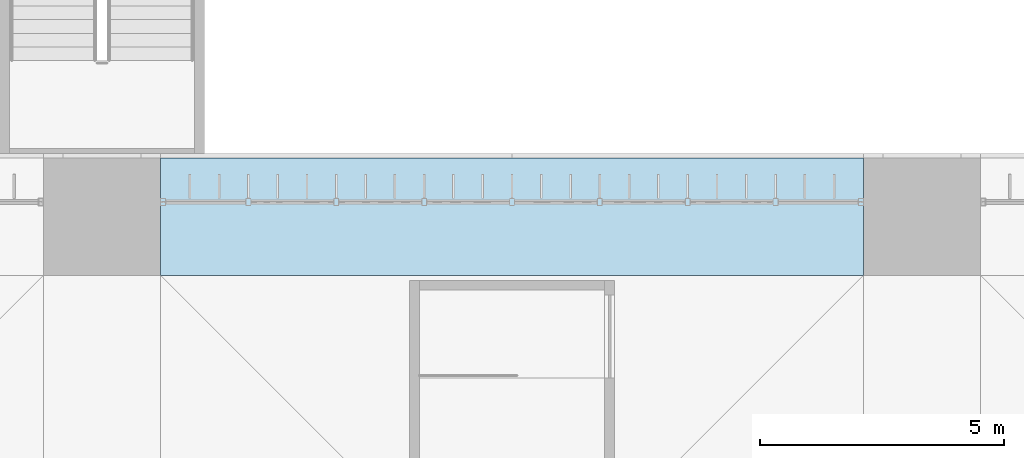
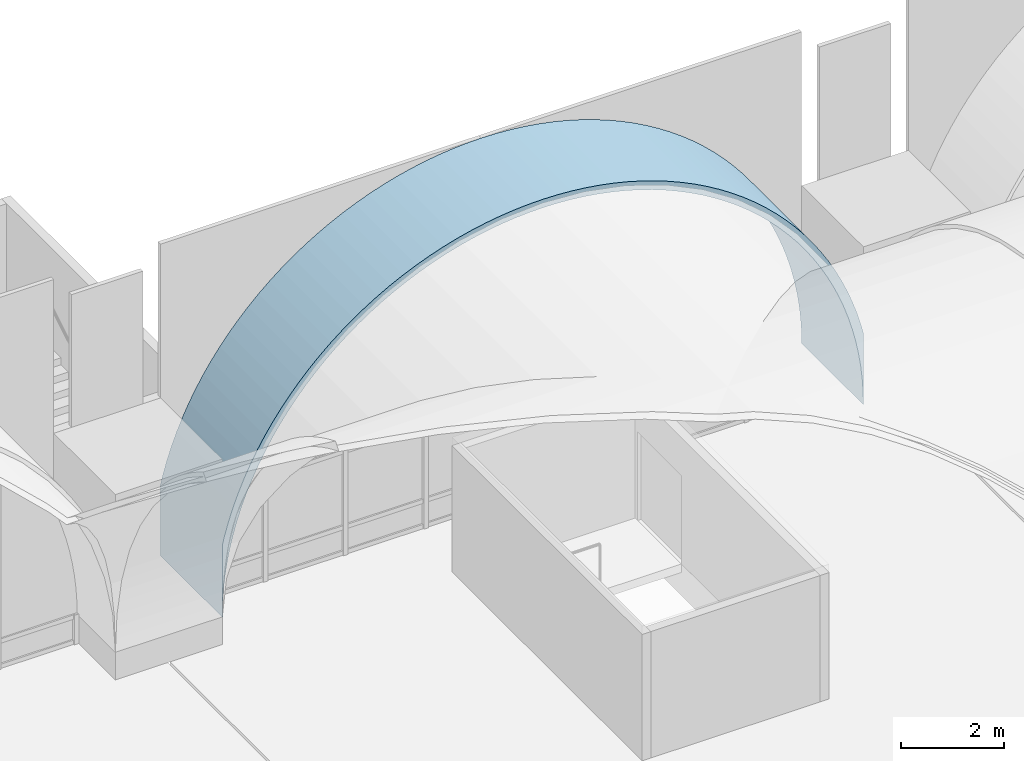
# One storey, part 133 of 169: 1 roof.
"""IFC4 building model written with IfcOpenShell, lengths in metres."""

from ifc_helpers import new_model, si_unit, direction, frame, origin, place, context, subcontext, project, spatial, polygons, material, layer, layer_set, type_object, element, save


model = new_model("IFC4")

# Units and contexts
model_context = context("Model", 3, precision=1e-05, world=origin(), true_north=direction((0.0, 1.0)))
body_context = subcontext(model_context, "Body", "Model", "MODEL_VIEW")
ifc_project = project(units=[si_unit("LENGTHUNIT", "METRE"), si_unit("AREAUNIT", "SQUARE_METRE"), si_unit("VOLUMEUNIT", "CUBIC_METRE"), si_unit("PLANEANGLEUNIT", "RADIAN"), si_unit("MASSUNIT", "GRAM", prefix="KILO")], contexts=[model_context])

# Site, building, storey
site_placement = place(None, origin())
site = spatial("IfcSite", under=ifc_project, at=site_placement, CompositionType="ELEMENT")
building_placement = place(site_placement, origin())
building = spatial("IfcBuilding", under=site, at=building_placement, Name="Verrick Yard Athletic Hall", CompositionType="ELEMENT")
storey_placement = place(building_placement, frame((0.0, 0.0, 4.39990234375)))
storey = spatial("IfcBuildingStorey", under=building, at=storey_placement, Name="L01", CompositionType="ELEMENT", Elevation=4.39990234375)

# Roof
ifc_material = material(Name="Concrete 35 MPa", Category="concrete")
ifc_layer = layer(ifc_material, 0.199951171875)
ifc_layer_set = layer_set([ifc_layer], Name="Arch rib 200")
roof_type = type_object("IfcRoofType", Name="Arch rib 200", PredefinedType="BARREL_ROOF", material=ifc_layer_set)
roof_placement = place(storey_placement, origin())
element("IfcRoof", 1, at=roof_placement, inside=storey, type_object=roof_type, Name="Vault rib N3", PredefinedType="BARREL_ROOF", context=body_context, shape_type="Tessellation", body=[
    polygons([(74.800048828125, 51.60009765625, 2.352294921875), (74.800048828125, 51.60009765625, 0.650146484375), (74.806884765625, 51.60009765625, 0.964111328125), (74.827392578125, 51.60009765625, 1.277587890625), (74.861572265625, 51.60009765625, 1.58984375), (74.909423828125, 51.60009765625, 1.900390625), (74.970703125, 51.60009765625, 2.20849609375), (75.04541015625, 51.60009765625, 2.513671875), (75.13330078125, 51.60009765625, 2.815185546875), (75.234130859375, 51.60009765625, 3.112548828125), (75.34814453125, 51.60009765625, 3.405517578125), (75.474609375, 51.60009765625, 3.693115234375), (75.613525390625, 51.60009765625, 3.974609375), (75.7646484375, 51.60009765625, 4.25), (75.927490234375, 51.60009765625, 4.518798828125), (76.10205078125, 51.60009765625, 4.77978515625), (76.287841796875, 51.60009765625, 5.033203125), (76.484619140625, 51.60009765625, 5.278076171875), (76.691650390625, 51.60009765625, 5.514404296875), (76.90869140625, 51.60009765625, 5.7412109375), (77.1357421875, 51.60009765625, 5.95849609375), (77.371826171875, 51.60009765625, 6.16552734375), (77.616943359375, 51.60009765625, 6.3623046875), (77.8701171875, 51.60009765625, 6.548095703125), (78.13134765625, 51.60009765625, 6.722412109375), (78.39990234375, 51.60009765625, 6.885498046875), (78.67529296875, 51.60009765625, 7.03662109375), (78.95703125, 51.60009765625, 7.175537109375), (79.24462890625, 51.60009765625, 7.302001953125), (79.53759765625, 51.60009765625, 7.416015625), (79.8349609375, 51.60009765625, 7.516845703125), (80.136474609375, 51.60009765625, 7.604736328125), (80.441650390625, 51.60009765625, 7.679443359375), (80.749755859375, 51.60009765625, 7.74072265625), (81.060302734375, 51.60009765625, 7.78857421875), (81.37255859375, 51.60009765625, 7.82275390625), (81.685791015625, 51.60009765625, 7.84326171875), (82.0, 51.60009765625, 7.85009765625), (82.314208984375, 51.60009765625, 7.84326171875), (82.62744140625, 51.60009765625, 7.82275390625), (82.939697265625, 51.60009765625, 7.78857421875), (83.250244140625, 51.60009765625, 7.74072265625), (83.558349609375, 51.60009765625, 7.679443359375), (83.863525390625, 51.60009765625, 7.604736328125), (84.1650390625, 51.60009765625, 7.516845703125), (84.46240234375, 51.60009765625, 7.416015625), (84.75537109375, 51.60009765625, 7.302001953125), (85.04296875, 51.60009765625, 7.175537109375), (85.32470703125, 51.60009765625, 7.03662109375), (85.60009765625, 51.60009765625, 6.885498046875), (85.86865234375, 51.60009765625, 6.722412109375), (86.1298828125, 51.60009765625, 6.548095703125), (86.383056640625, 51.60009765625, 6.3623046875), (86.628173828125, 51.60009765625, 6.16552734375), (86.8642578125, 51.60009765625, 5.95849609375), (87.09130859375, 51.60009765625, 5.7412109375), (87.308349609375, 51.60009765625, 5.514404296875), (87.515380859375, 51.60009765625, 5.278076171875), (87.712158203125, 51.60009765625, 5.033203125), (87.89794921875, 51.60009765625, 4.77978515625), (88.072509765625, 51.60009765625, 4.518798828125), (88.2353515625, 51.60009765625, 4.25), (88.386474609375, 51.60009765625, 3.974609375), (88.525390625, 51.60009765625, 3.693115234375), (88.65185546875, 51.60009765625, 3.405517578125), (88.765869140625, 51.60009765625, 3.112548828125), (88.86669921875, 51.60009765625, 2.815185546875), (88.95458984375, 51.60009765625, 2.513671875), (89.029296875, 51.60009765625, 2.20849609375), (89.090576171875, 51.60009765625, 1.900390625), (89.138427734375, 51.60009765625, 1.58984375), (89.172607421875, 51.60009765625, 1.277587890625), (89.193115234375, 51.60009765625, 0.964111328125), (89.199951171875, 51.60009765625, 0.650146484375), (89.199951171875, 51.60009765625, 2.352294921875), (89.14794921875, 51.60009765625, 2.5654296875), (89.0576171875, 51.60009765625, 2.875244140625), (88.95361328125, 51.60009765625, 3.180908203125), (88.836669921875, 51.60009765625, 3.48193359375), (88.706787109375, 51.60009765625, 3.777587890625), (88.56396484375, 51.60009765625, 4.06689453125), (88.40869140625, 51.60009765625, 4.35009765625), (88.2412109375, 51.60009765625, 4.6259765625), (88.061767578125, 51.60009765625, 4.89453125), (87.870849609375, 51.60009765625, 5.15478515625), (87.668701171875, 51.60009765625, 5.40673828125), (87.455810546875, 51.60009765625, 5.6494140625), (87.232666015625, 51.60009765625, 5.8828125), (86.99951171875, 51.60009765625, 6.10595703125), (86.756591796875, 51.60009765625, 6.31884765625), (86.5048828125, 51.60009765625, 6.52099609375), (86.244384765625, 51.60009765625, 6.7119140625), (85.97607421875, 51.60009765625, 6.89111328125), (85.699951171875, 51.60009765625, 7.05859375), (85.4169921875, 51.60009765625, 7.214111328125), (85.12744140625, 51.60009765625, 7.356689453125), (84.831787109375, 51.60009765625, 7.48681640625), (84.531005859375, 51.60009765625, 7.603759765625), (84.22509765625, 51.60009765625, 7.70751953125), (83.915283203125, 51.60009765625, 7.798095703125), (83.601806640625, 51.60009765625, 7.874755859375), (83.284912109375, 51.60009765625, 7.937744140625), (82.9658203125, 51.60009765625, 7.98681640625), (82.64501953125, 51.60009765625, 8.02197265625), (82.32275390625, 51.60009765625, 8.043212890625), (82.0, 51.60009765625, 8.050048828125), (81.67724609375, 51.60009765625, 8.043212890625), (81.35498046875, 51.60009765625, 8.02197265625), (81.0341796875, 51.60009765625, 7.98681640625), (80.715087890625, 51.60009765625, 7.937744140625), (80.398193359375, 51.60009765625, 7.874755859375), (80.084716796875, 51.60009765625, 7.798095703125), (79.77490234375, 51.60009765625, 7.70751953125), (79.468994140625, 51.60009765625, 7.603759765625), (79.168212890625, 51.60009765625, 7.48681640625), (78.87255859375, 51.60009765625, 7.356689453125), (78.5830078125, 51.60009765625, 7.214111328125), (78.300048828125, 51.60009765625, 7.05859375), (78.02392578125, 51.60009765625, 6.89111328125), (77.755615234375, 51.60009765625, 6.7119140625), (77.4951171875, 51.60009765625, 6.52099609375), (77.243408203125, 51.60009765625, 6.31884765625), (77.00048828125, 51.60009765625, 6.10595703125), (76.767333984375, 51.60009765625, 5.8828125), (76.544189453125, 51.60009765625, 5.6494140625), (76.331298828125, 51.60009765625, 5.40673828125), (76.129150390625, 51.60009765625, 5.15478515625), (75.938232421875, 51.60009765625, 4.89453125), (75.7587890625, 51.60009765625, 4.6259765625), (75.59130859375, 51.60009765625, 4.35009765625), (75.43603515625, 51.60009765625, 4.06689453125), (75.293212890625, 51.60009765625, 3.777587890625), (75.163330078125, 51.60009765625, 3.48193359375), (75.04638671875, 51.60009765625, 3.180908203125), (74.9423828125, 51.60009765625, 2.875244140625), (74.85205078125, 51.60009765625, 2.5654296875), (74.800048828125, 54.0, 2.352294921875), (74.800048828125, 54.0, 0.650146484375), (74.806884765625, 54.0, 0.964111328125), (74.827392578125, 54.0, 1.277587890625), (74.861572265625, 54.0, 1.58984375), (74.909423828125, 54.0, 1.900390625), (74.970703125, 54.0, 2.20849609375), (75.04541015625, 54.0, 2.513671875), (75.13330078125, 54.0, 2.815185546875), (75.234130859375, 54.0, 3.112548828125), (75.34814453125, 54.0, 3.405517578125), (75.474609375, 54.0, 3.693115234375), (75.613525390625, 54.0, 3.974609375), (75.7646484375, 54.0, 4.25), (75.927490234375, 54.0, 4.518798828125), (76.10205078125, 54.0, 4.77978515625), (76.287841796875, 54.0, 5.033203125), (76.484619140625, 54.0, 5.278076171875), (76.691650390625, 54.0, 5.514404296875), (76.90869140625, 54.0, 5.7412109375), (77.1357421875, 54.0, 5.95849609375), (77.371826171875, 54.0, 6.16552734375), (77.616943359375, 54.0, 6.3623046875), (77.8701171875, 54.0, 6.548095703125), (78.13134765625, 54.0, 6.722412109375), (78.39990234375, 54.0, 6.885498046875), (78.67529296875, 54.0, 7.03662109375), (78.95703125, 54.0, 7.175537109375), (79.24462890625, 54.0, 7.302001953125), (79.53759765625, 54.0, 7.416015625), (79.8349609375, 54.0, 7.516845703125), (80.136474609375, 54.0, 7.604736328125), (80.441650390625, 54.0, 7.679443359375), (80.749755859375, 54.0, 7.74072265625), (81.060302734375, 54.0, 7.78857421875), (81.37255859375, 54.0, 7.82275390625), (81.685791015625, 54.0, 7.84326171875), (82.0, 54.0, 7.85009765625), (82.314208984375, 54.0, 7.84326171875), (82.62744140625, 54.0, 7.82275390625), (82.939697265625, 54.0, 7.78857421875), (83.250244140625, 54.0, 7.74072265625), (83.558349609375, 54.0, 7.679443359375), (83.863525390625, 54.0, 7.604736328125), (84.1650390625, 54.0, 7.516845703125), (84.46240234375, 54.0, 7.416015625), (84.75537109375, 54.0, 7.302001953125), (85.04296875, 54.0, 7.175537109375), (85.32470703125, 54.0, 7.03662109375), (85.60009765625, 54.0, 6.885498046875), (85.86865234375, 54.0, 6.722412109375), (86.1298828125, 54.0, 6.548095703125), (86.383056640625, 54.0, 6.3623046875), (86.628173828125, 54.0, 6.16552734375), (86.8642578125, 54.0, 5.95849609375), (87.09130859375, 54.0, 5.7412109375), (87.308349609375, 54.0, 5.514404296875), (87.515380859375, 54.0, 5.278076171875), (87.712158203125, 54.0, 5.033203125), (87.89794921875, 54.0, 4.77978515625), (88.072509765625, 54.0, 4.518798828125), (88.2353515625, 54.0, 4.25), (88.386474609375, 54.0, 3.974609375), (88.525390625, 54.0, 3.693115234375), (88.65185546875, 54.0, 3.405517578125), (88.765869140625, 54.0, 3.112548828125), (88.86669921875, 54.0, 2.815185546875), (88.95458984375, 54.0, 2.513671875), (89.029296875, 54.0, 2.20849609375), (89.090576171875, 54.0, 1.900390625), (89.138427734375, 54.0, 1.58984375), (89.172607421875, 54.0, 1.277587890625), (89.193115234375, 54.0, 0.964111328125), (89.199951171875, 54.0, 0.650146484375), (89.199951171875, 54.0, 2.352294921875), (89.14794921875, 54.0, 2.5654296875), (89.0576171875, 54.0, 2.875244140625), (88.95361328125, 54.0, 3.180908203125), (88.836669921875, 54.0, 3.48193359375), (88.706787109375, 54.0, 3.777587890625), (88.56396484375, 54.0, 4.06689453125), (88.40869140625, 54.0, 4.35009765625), (88.2412109375, 54.0, 4.6259765625), (88.061767578125, 54.0, 4.89453125), (87.870849609375, 54.0, 5.15478515625), (87.668701171875, 54.0, 5.40673828125), (87.455810546875, 54.0, 5.6494140625), (87.232666015625, 54.0, 5.8828125), (86.99951171875, 54.0, 6.10595703125), (86.756591796875, 54.0, 6.31884765625), (86.5048828125, 54.0, 6.52099609375), (86.244384765625, 54.0, 6.7119140625), (85.97607421875, 54.0, 6.89111328125), (85.699951171875, 54.0, 7.05859375), (85.4169921875, 54.0, 7.214111328125), (85.12744140625, 54.0, 7.356689453125), (84.831787109375, 54.0, 7.48681640625), (84.531005859375, 54.0, 7.603759765625), (84.22509765625, 54.0, 7.70751953125), (83.915283203125, 54.0, 7.798095703125), (83.601806640625, 54.0, 7.874755859375), (83.284912109375, 54.0, 7.937744140625), (82.9658203125, 54.0, 7.98681640625), (82.64501953125, 54.0, 8.02197265625), (82.32275390625, 54.0, 8.043212890625), (82.0, 54.0, 8.050048828125), (81.67724609375, 54.0, 8.043212890625), (81.35498046875, 54.0, 8.02197265625), (81.0341796875, 54.0, 7.98681640625), (80.715087890625, 54.0, 7.937744140625), (80.398193359375, 54.0, 7.874755859375), (80.084716796875, 54.0, 7.798095703125), (79.77490234375, 54.0, 7.70751953125), (79.468994140625, 54.0, 7.603759765625), (79.168212890625, 54.0, 7.48681640625), (78.87255859375, 54.0, 7.356689453125), (78.5830078125, 54.0, 7.214111328125), (78.300048828125, 54.0, 7.05859375), (78.02392578125, 54.0, 6.89111328125), (77.755615234375, 54.0, 6.7119140625), (77.4951171875, 54.0, 6.52099609375), (77.243408203125, 54.0, 6.31884765625), (77.00048828125, 54.0, 6.10595703125), (76.767333984375, 54.0, 5.8828125), (76.544189453125, 54.0, 5.6494140625), (76.331298828125, 54.0, 5.40673828125), (76.129150390625, 54.0, 5.15478515625), (75.938232421875, 54.0, 4.89453125), (75.7587890625, 54.0, 4.6259765625), (75.59130859375, 54.0, 4.35009765625), (75.43603515625, 54.0, 4.06689453125), (75.293212890625, 54.0, 3.777587890625), (75.163330078125, 54.0, 3.48193359375), (75.04638671875, 54.0, 3.180908203125), (74.9423828125, 54.0, 2.875244140625), (74.85205078125, 54.0, 2.5654296875)], [[[1, 2, 3]], [[137, 139, 138]], [[136, 1, 3]], [[272, 139, 137]], [[136, 3, 4]], [[272, 140, 139]], [[136, 4, 5]], [[272, 141, 140]], [[136, 5, 6]], [[272, 142, 141]], [[136, 6, 7]], [[272, 143, 142]], [[136, 7, 8]], [[272, 144, 143]], [[136, 8, 9]], [[272, 145, 144]], [[136, 9, 10]], [[272, 146, 145]], [[136, 10, 11]], [[272, 147, 146]], [[136, 11, 12]], [[272, 148, 147]], [[136, 12, 13]], [[272, 149, 148]], [[73, 74, 75]], [[209, 211, 210]], [[72, 73, 75]], [[208, 211, 209]], [[71, 72, 75]], [[207, 211, 208]], [[70, 71, 75]], [[206, 211, 207]], [[69, 70, 75]], [[205, 211, 206]], [[68, 69, 75]], [[204, 211, 205]], [[67, 68, 75]], [[203, 211, 204]], [[66, 67, 75]], [[202, 211, 203]], [[65, 66, 75]], [[201, 211, 202]], [[64, 65, 75]], [[200, 211, 201]], [[63, 64, 75]], [[199, 211, 200]], [[63, 75, 76]], [[199, 212, 211]], [[63, 76, 77]], [[199, 213, 212]], [[62, 63, 77]], [[198, 213, 199]], [[62, 77, 78]], [[198, 214, 213]], [[61, 62, 78]], [[197, 214, 198]], [[61, 78, 79]], [[197, 215, 214]], [[60, 61, 79]], [[196, 215, 197]], [[60, 79, 80]], [[196, 216, 215]], [[59, 60, 80]], [[195, 216, 196]], [[59, 80, 81]], [[195, 217, 216]], [[58, 59, 81]], [[194, 217, 195]], [[58, 81, 82]], [[194, 218, 217]], [[57, 58, 82]], [[193, 218, 194]], [[57, 82, 83]], [[193, 219, 218]], [[56, 57, 83]], [[192, 219, 193]], [[56, 83, 84]], [[192, 220, 219]], [[55, 56, 84]], [[191, 220, 192]], [[55, 84, 85]], [[191, 221, 220]], [[54, 55, 85]], [[190, 221, 191]], [[54, 85, 86]], [[190, 222, 221]], [[53, 54, 86]], [[189, 222, 190]], [[53, 86, 87]], [[189, 223, 222]], [[52, 53, 87]], [[188, 223, 189]], [[52, 87, 88]], [[188, 224, 223]], [[51, 52, 88]], [[187, 224, 188]], [[51, 88, 89]], [[187, 225, 224]], [[50, 51, 89]], [[186, 225, 187]], [[50, 89, 90]], [[186, 226, 225]], [[49, 50, 90]], [[185, 226, 186]], [[49, 90, 91]], [[185, 227, 226]], [[48, 49, 91]], [[184, 227, 185]], [[48, 91, 92]], [[184, 228, 227]], [[47, 48, 92]], [[183, 228, 184]], [[47, 92, 93]], [[183, 229, 228]], [[46, 47, 93]], [[182, 229, 183]], [[46, 93, 94]], [[182, 230, 229]], [[45, 46, 94]], [[181, 230, 182]], [[45, 94, 95]], [[181, 231, 230]], [[44, 45, 95]], [[180, 231, 181]], [[44, 95, 96]], [[180, 232, 231]], [[43, 44, 96]], [[179, 232, 180]], [[43, 96, 97]], [[179, 233, 232]], [[42, 43, 97]], [[178, 233, 179]], [[42, 97, 98]], [[178, 234, 233]], [[41, 42, 98]], [[177, 234, 178]], [[41, 98, 99]], [[177, 235, 234]], [[40, 41, 99]], [[176, 235, 177]], [[40, 99, 100]], [[176, 236, 235]], [[39, 40, 100]], [[175, 236, 176]], [[39, 100, 101]], [[175, 237, 236]], [[38, 39, 101]], [[174, 237, 175]], [[38, 101, 102]], [[174, 238, 237]], [[37, 38, 102]], [[173, 238, 174]], [[37, 102, 103]], [[173, 239, 238]], [[36, 37, 103]], [[172, 239, 173]], [[36, 103, 104]], [[172, 240, 239]], [[35, 36, 104]], [[171, 240, 172]], [[35, 104, 105]], [[171, 241, 240]], [[34, 35, 105]], [[170, 241, 171]], [[34, 105, 106]], [[170, 242, 241]], [[33, 34, 106]], [[169, 242, 170]], [[33, 106, 107]], [[169, 243, 242]], [[32, 33, 107]], [[168, 243, 169]], [[32, 107, 108]], [[168, 244, 243]], [[31, 32, 108]], [[167, 244, 168]], [[31, 108, 109]], [[167, 245, 244]], [[30, 31, 109]], [[166, 245, 167]], [[30, 109, 110]], [[166, 246, 245]], [[29, 30, 110]], [[165, 246, 166]], [[29, 110, 111]], [[165, 247, 246]], [[28, 29, 111]], [[164, 247, 165]], [[28, 111, 112]], [[164, 248, 247]], [[27, 28, 112]], [[163, 248, 164]], [[27, 112, 113]], [[163, 249, 248]], [[26, 27, 113]], [[162, 249, 163]], [[26, 113, 114]], [[162, 250, 249]], [[25, 26, 114]], [[161, 250, 162]], [[25, 114, 115]], [[161, 251, 250]], [[24, 25, 115]], [[160, 251, 161]], [[24, 115, 116]], [[160, 252, 251]], [[23, 24, 116]], [[159, 252, 160]], [[23, 116, 117]], [[159, 253, 252]], [[22, 23, 117]], [[158, 253, 159]], [[22, 117, 118]], [[158, 254, 253]], [[21, 22, 118]], [[157, 254, 158]], [[21, 118, 119]], [[157, 255, 254]], [[20, 21, 119]], [[156, 255, 157]], [[20, 119, 120]], [[156, 256, 255]], [[19, 20, 120]], [[155, 256, 156]], [[19, 120, 121]], [[155, 257, 256]], [[18, 19, 121]], [[154, 257, 155]], [[18, 121, 122]], [[154, 258, 257]], [[17, 18, 122]], [[153, 258, 154]], [[17, 122, 123]], [[153, 259, 258]], [[16, 17, 123]], [[152, 259, 153]], [[16, 123, 124]], [[152, 260, 259]], [[15, 16, 124]], [[151, 260, 152]], [[15, 124, 125]], [[151, 261, 260]], [[14, 15, 125]], [[150, 261, 151]], [[14, 125, 126]], [[150, 262, 261]], [[13, 14, 126]], [[149, 262, 150]], [[136, 13, 126]], [[272, 262, 149]], [[136, 126, 127]], [[272, 263, 262]], [[136, 127, 128]], [[272, 264, 263]], [[136, 128, 129]], [[272, 265, 264]], [[136, 129, 130]], [[272, 266, 265]], [[136, 130, 131]], [[272, 267, 266]], [[136, 131, 132]], [[272, 268, 267]], [[136, 132, 133]], [[272, 269, 268]], [[136, 133, 134]], [[272, 270, 269]], [[134, 135, 136]], [[270, 272, 271]], [[1, 138, 2]], [[1, 137, 138]], [[2, 139, 3]], [[2, 138, 139]], [[3, 140, 4]], [[3, 139, 140]], [[4, 141, 5]], [[4, 140, 141]], [[5, 142, 6]], [[5, 141, 142]], [[6, 143, 7]], [[6, 142, 143]], [[7, 144, 8]], [[7, 143, 144]], [[8, 145, 9]], [[8, 144, 145]], [[9, 146, 10]], [[9, 145, 146]], [[10, 147, 11]], [[10, 146, 147]], [[11, 148, 12]], [[11, 147, 148]], [[12, 149, 13]], [[12, 148, 149]], [[13, 150, 14]], [[13, 149, 150]], [[14, 151, 15]], [[14, 150, 151]], [[15, 152, 16]], [[15, 151, 152]], [[16, 153, 17]], [[16, 152, 153]], [[17, 154, 18]], [[17, 153, 154]], [[18, 155, 19]], [[18, 154, 155]], [[19, 156, 20]], [[19, 155, 156]], [[20, 157, 21]], [[20, 156, 157]], [[21, 158, 22]], [[21, 157, 158]], [[22, 159, 23]], [[22, 158, 159]], [[23, 160, 24]], [[23, 159, 160]], [[24, 161, 25]], [[24, 160, 161]], [[25, 162, 26]], [[25, 161, 162]], [[26, 163, 27]], [[26, 162, 163]], [[27, 164, 28]], [[27, 163, 164]], [[28, 165, 29]], [[28, 164, 165]], [[29, 166, 30]], [[29, 165, 166]], [[30, 167, 31]], [[30, 166, 167]], [[31, 168, 32]], [[31, 167, 168]], [[32, 169, 33]], [[32, 168, 169]], [[33, 170, 34]], [[33, 169, 170]], [[34, 171, 35]], [[34, 170, 171]], [[35, 172, 36]], [[35, 171, 172]], [[36, 173, 37]], [[36, 172, 173]], [[37, 174, 38]], [[37, 173, 174]], [[38, 175, 39]], [[38, 174, 175]], [[39, 176, 40]], [[39, 175, 176]], [[40, 177, 41]], [[40, 176, 177]], [[41, 178, 42]], [[41, 177, 178]], [[42, 179, 43]], [[42, 178, 179]], [[43, 180, 44]], [[43, 179, 180]], [[44, 181, 45]], [[44, 180, 181]], [[45, 182, 46]], [[45, 181, 182]], [[46, 183, 47]], [[46, 182, 183]], [[47, 184, 48]], [[47, 183, 184]], [[48, 185, 49]], [[48, 184, 185]], [[49, 186, 50]], [[49, 185, 186]], [[50, 187, 51]], [[50, 186, 187]], [[51, 188, 52]], [[51, 187, 188]], [[52, 189, 53]], [[52, 188, 189]], [[53, 190, 54]], [[53, 189, 190]], [[54, 191, 55]], [[54, 190, 191]], [[55, 192, 56]], [[55, 191, 192]], [[56, 193, 57]], [[56, 192, 193]], [[57, 194, 58]], [[57, 193, 194]], [[58, 195, 59]], [[58, 194, 195]], [[59, 196, 60]], [[59, 195, 196]], [[60, 197, 61]], [[60, 196, 197]], [[61, 198, 62]], [[61, 197, 198]], [[62, 199, 63]], [[62, 198, 199]], [[63, 200, 64]], [[63, 199, 200]], [[64, 201, 65]], [[64, 200, 201]], [[65, 202, 66]], [[65, 201, 202]], [[66, 203, 67]], [[66, 202, 203]], [[67, 204, 68]], [[67, 203, 204]], [[68, 205, 69]], [[68, 204, 205]], [[69, 206, 70]], [[69, 205, 206]], [[70, 207, 71]], [[70, 206, 207]], [[71, 208, 72]], [[71, 207, 208]], [[72, 209, 73]], [[72, 208, 209]], [[73, 210, 74]], [[73, 209, 210]], [[74, 211, 75]], [[74, 210, 211]], [[75, 212, 76]], [[75, 211, 212]], [[76, 213, 77]], [[76, 212, 213]], [[77, 214, 78]], [[77, 213, 214]], [[78, 215, 79]], [[78, 214, 215]], [[79, 216, 80]], [[79, 215, 216]], [[80, 217, 81]], [[80, 216, 217]], [[81, 218, 82]], [[81, 217, 218]], [[82, 219, 83]], [[82, 218, 219]], [[83, 220, 84]], [[83, 219, 220]], [[84, 221, 85]], [[84, 220, 221]], [[85, 222, 86]], [[85, 221, 222]], [[86, 223, 87]], [[86, 222, 223]], [[87, 224, 88]], [[87, 223, 224]], [[88, 225, 89]], [[88, 224, 225]], [[89, 226, 90]], [[89, 225, 226]], [[90, 227, 91]], [[90, 226, 227]], [[91, 228, 92]], [[91, 227, 228]], [[92, 229, 93]], [[92, 228, 229]], [[93, 230, 94]], [[93, 229, 230]], [[94, 231, 95]], [[94, 230, 231]], [[95, 232, 96]], [[95, 231, 232]], [[96, 233, 97]], [[96, 232, 233]], [[97, 234, 98]], [[97, 233, 234]], [[98, 235, 99]], [[98, 234, 235]], [[99, 236, 100]], [[99, 235, 236]], [[100, 237, 101]], [[100, 236, 237]], [[101, 238, 102]], [[101, 237, 238]], [[102, 239, 103]], [[102, 238, 239]], [[103, 240, 104]], [[103, 239, 240]], [[104, 241, 105]], [[104, 240, 241]], [[105, 242, 106]], [[105, 241, 242]], [[106, 243, 107]], [[106, 242, 243]], [[107, 244, 108]], [[107, 243, 244]], [[108, 245, 109]], [[108, 244, 245]], [[109, 246, 110]], [[109, 245, 246]], [[110, 247, 111]], [[110, 246, 247]], [[111, 248, 112]], [[111, 247, 248]], [[112, 249, 113]], [[112, 248, 249]], [[113, 250, 114]], [[113, 249, 250]], [[114, 251, 115]], [[114, 250, 251]], [[115, 252, 116]], [[115, 251, 252]], [[116, 253, 117]], [[116, 252, 253]], [[117, 254, 118]], [[117, 253, 254]], [[118, 255, 119]], [[118, 254, 255]], [[119, 256, 120]], [[119, 255, 256]], [[120, 257, 121]], [[120, 256, 257]], [[121, 258, 122]], [[121, 257, 258]], [[122, 259, 123]], [[122, 258, 259]], [[123, 260, 124]], [[123, 259, 260]], [[124, 261, 125]], [[124, 260, 261]], [[125, 262, 126]], [[125, 261, 262]], [[126, 263, 127]], [[126, 262, 263]], [[127, 264, 128]], [[127, 263, 264]], [[128, 265, 129]], [[128, 264, 265]], [[129, 266, 130]], [[129, 265, 266]], [[130, 267, 131]], [[130, 266, 267]], [[131, 268, 132]], [[131, 267, 268]], [[132, 269, 133]], [[132, 268, 269]], [[133, 270, 134]], [[133, 269, 270]], [[134, 271, 135]], [[134, 270, 271]], [[135, 272, 136]], [[135, 271, 272]], [[136, 137, 1]], [[136, 272, 137]]], closed=True),
])

save(model, "model.ifc")
